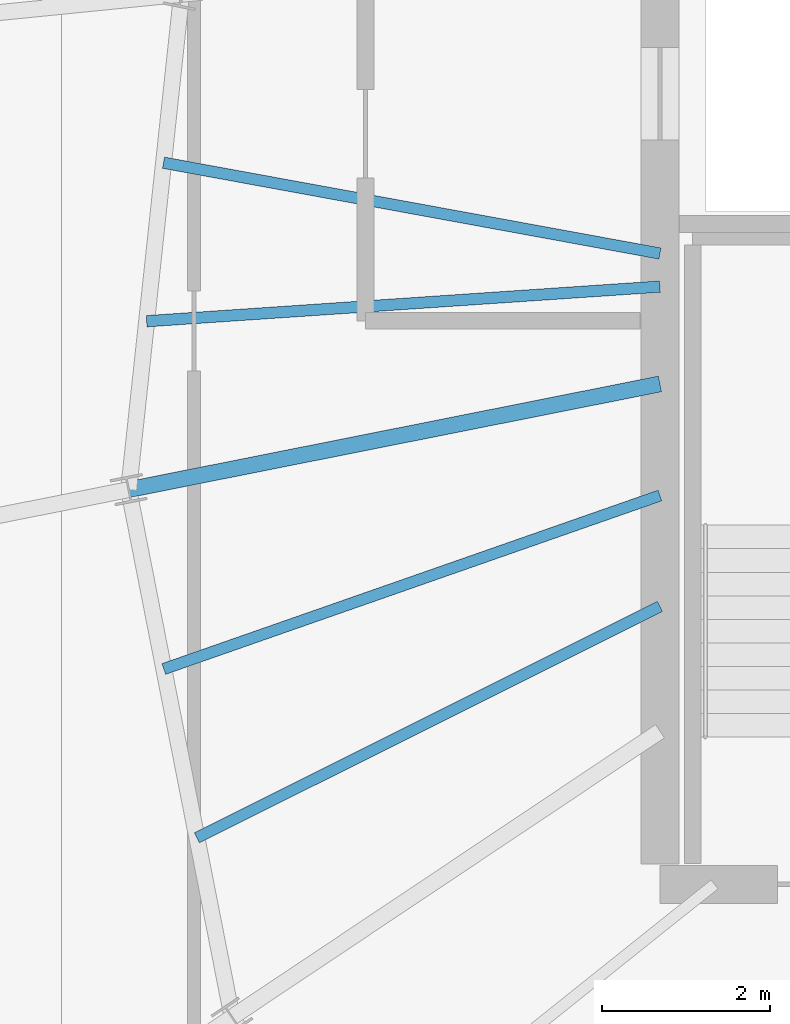
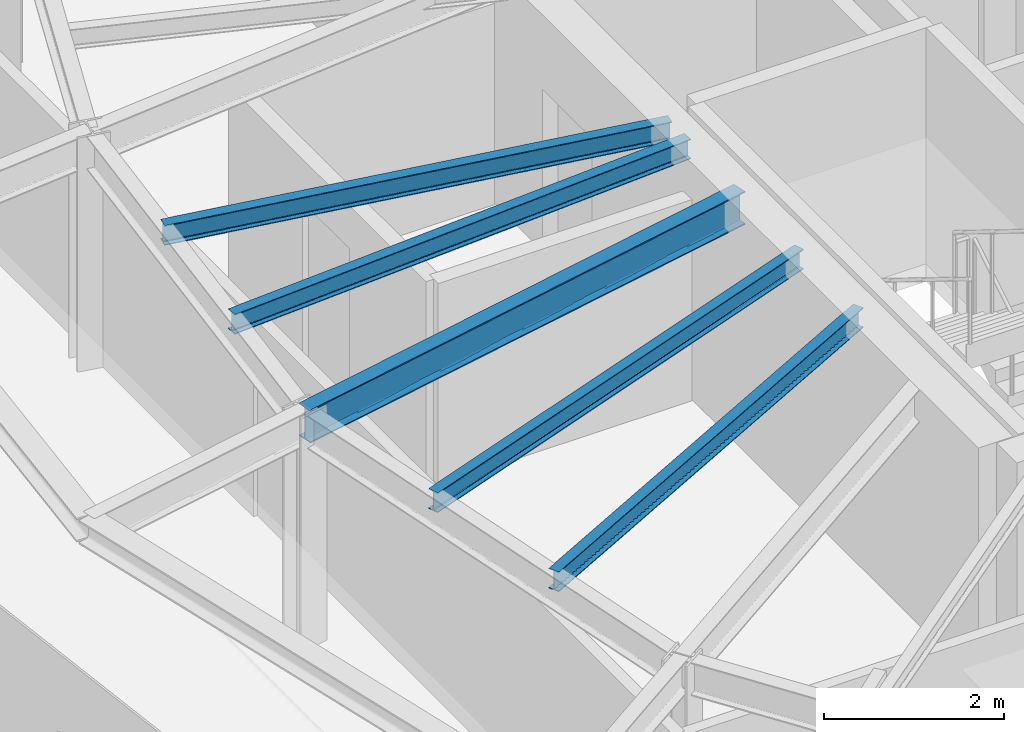
# One storey, part 10 of 34: 5 beams.
"""IFC4 building model written with IfcOpenShell, lengths in metres."""

from ifc_helpers import new_model, si_unit, direction, frame, origin, origin_2d, place, context, subcontext, project, spatial, i_section, extrude, source, transform, mapped, material, material_profile, profile_set, type_object, element, save


model = new_model("IFC4")

# Units and contexts
model_context = context("Model", 3, precision=1e-05, world=origin(), true_north=direction((0.0, 1.0)))
body_context = subcontext(model_context, "Body", "Model", "MODEL_VIEW")
ifc_project = project(units=[si_unit("LENGTHUNIT", "METRE"), si_unit("AREAUNIT", "SQUARE_METRE"), si_unit("VOLUMEUNIT", "CUBIC_METRE"), si_unit("PLANEANGLEUNIT", "RADIAN"), si_unit("MASSUNIT", "GRAM", prefix="KILO"), si_unit("THERMODYNAMICTEMPERATUREUNIT", "KELVIN")], contexts=[model_context])

# Site, building, storey
site_placement = place(None, origin())
site = spatial("IfcSite", under=ifc_project, at=site_placement, CompositionType="ELEMENT")
building_placement = place(site_placement, origin())
building = spatial("IfcBuilding", under=site, at=building_placement, Name="Kethvar Cultural Tower", CompositionType="ELEMENT")
storey_placement = place(building_placement, frame((0.0, 0.0, 262.89990234375)))
storey = spatial("IfcBuildingStorey", under=building, at=storey_placement, Name="L69", CompositionType="ELEMENT", Elevation=262.89990234375)

# Beams
ifc_material = material(Name="Steel S355J2", Category="steel")
ifc_material_profile_1 = material_profile(ifc_material, i_section(OverallWidth=0.18994140625, OverallDepth=0.449951171875, WebThickness=0.009521484375, FlangeThickness=0.0146484375, FilletRadius=0.02099609375, at=origin_2d()), Name="Steel S355J2 — IPE450")
ifc_profile_set_1 = profile_set([ifc_material_profile_1], Name="Steel S355J2 — IPE450")
beam_type_1 = type_object("IfcBeamType", Name="BM-IPE450", PredefinedType="BEAM", material=ifc_profile_set_1)
shared_shape_1 = source(origin(), body_context, "Body", "SweptSolid", [
    extrude(i_section(OverallWidth=0.18994140625, OverallDepth=0.449951171875, WebThickness=0.009521484375, FlangeThickness=0.0146484375, FilletRadius=0.02099609375, at=origin_2d()), origin(), (0.0, 0.0, 1.0), 6.440673828125),
])
beam_1_placement = place(storey_placement, frame((38.0, 26.049560546875, 2.983154296875), z_axis=(-0.980782804096, -0.195102770839, 0.0), x_axis=(0.195102770839, -0.980782804096, 0.0)))
element("IfcBeam", 1, at=beam_1_placement, inside=storey, type_object=beam_type_1, Name="L69 Primary Radial Beam RB-09", PredefinedType="BEAM", context=body_context, shape_type="MappedRepresentation", body=[
    mapped(shared_shape_1, transform((0.0, 0.0, 0.0), scale=1.0)),
])
ifc_material_profile_2 = material_profile(ifc_material, i_section(OverallWidth=0.135009765625, OverallDepth=0.27001953125, WebThickness=0.006591796875, FlangeThickness=0.01025390625, FilletRadius=0.014892578125, at=origin_2d()), Name="Steel S355J2 — IPE270")
ifc_profile_set_2 = profile_set([ifc_material_profile_2], Name="Steel S355J2 — IPE270")
beam_type_2 = type_object("IfcBeamType", Name="BM-J270", PredefinedType="JOIST", material=ifc_profile_set_2)
shared_shape_2 = source(origin(), body_context, "Body", "SweptSolid", [
    extrude(i_section(OverallWidth=0.135009765625, OverallDepth=0.27001953125, WebThickness=0.006591796875, FlangeThickness=0.01025390625, FilletRadius=0.014892578125, at=origin_2d()), origin(), (0.0, 0.0, 1.0), 5.99951171875),
])
beam_2_placement = place(storey_placement, frame((38.0, 27.60009765625, 3.072998046875), z_axis=(-0.983676616141, 0.179945310742, 0.0), x_axis=(-0.179945310742, -0.983676616141, 0.0)))
element("IfcBeam", 2, at=beam_2_placement, inside=storey, type_object=beam_type_2, Name="L69 Composite Floor Joist J-08A", PredefinedType="JOIST", context=body_context, shape_type="MappedRepresentation", body=[
    mapped(shared_shape_2, transform((0.0, 0.0, 0.0), scale=1.0)),
])
shared_shape_3 = source(origin(), body_context, "Body", "SweptSolid", [
    extrude(i_section(OverallWidth=0.135009765625, OverallDepth=0.27001953125, WebThickness=0.006591796875, FlangeThickness=0.01025390625, FilletRadius=0.014892578125, at=origin_2d()), origin(), (0.0, 0.0, 1.0), 6.116943359375),
])
beam_3_placement = place(storey_placement, frame((38.0, 27.206787109375, 3.072998046875), z_axis=(-0.997733289627, -0.067292516454, 0.0), x_axis=(0.067292516454, -0.997733289627, 0.0)))
element("IfcBeam", 3, at=beam_3_placement, inside=storey, type_object=beam_type_2, Name="L69 Composite Floor Joist J-08B", PredefinedType="JOIST", context=body_context, shape_type="MappedRepresentation", body=[
    mapped(shared_shape_3, transform((0.0, 0.0, 0.0), scale=1.0)),
])
shared_shape_4 = source(origin(), body_context, "Body", "SweptSolid", [
    extrude(i_section(OverallWidth=0.135009765625, OverallDepth=0.27001953125, WebThickness=0.006591796875, FlangeThickness=0.01025390625, FilletRadius=0.014892578125, at=origin_2d()), origin(), (0.0, 0.0, 1.0), 6.248779296875),
])
beam_4_placement = place(storey_placement, frame((38.0, 24.722900390625, 3.072998046875), z_axis=(-0.943960031743, -0.330059780148, 0.0), x_axis=(0.330059780148, -0.943960031743, 0.0)))
element("IfcBeam", 4, at=beam_4_placement, inside=storey, type_object=beam_type_2, Name="L69 Composite Floor Joist J-09A", PredefinedType="JOIST", context=body_context, shape_type="MappedRepresentation", body=[
    mapped(shared_shape_4, transform((0.0, 0.0, 0.0), scale=1.0)),
])
shared_shape_5 = source(origin(), body_context, "Body", "SweptSolid", [
    extrude(i_section(OverallWidth=0.135009765625, OverallDepth=0.27001953125, WebThickness=0.006591796875, FlangeThickness=0.01025390625, FilletRadius=0.014892578125, at=origin_2d()), origin(), (0.0, 0.0, 1.0), 6.154052734375),
])
beam_5_placement = place(storey_placement, frame((38.0, 23.40380859375, 3.072998046875), z_axis=(-0.89458581954, -0.446896197655, 0.0), x_axis=(0.446896197655, -0.89458581954, 0.0)))
element("IfcBeam", 5, at=beam_5_placement, inside=storey, type_object=beam_type_2, Name="L69 Composite Floor Joist J-09B", PredefinedType="JOIST", context=body_context, shape_type="MappedRepresentation", body=[
    mapped(shared_shape_5, transform((0.0, 0.0, 0.0), scale=1.0)),
])

save(model, "model.ifc")
